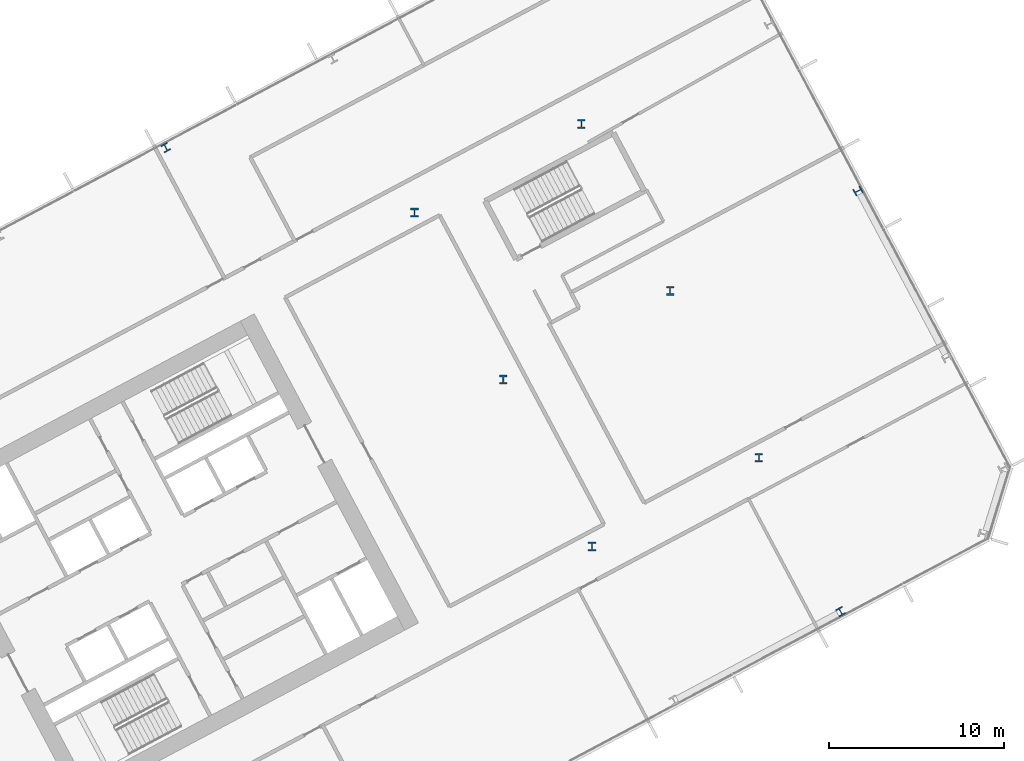
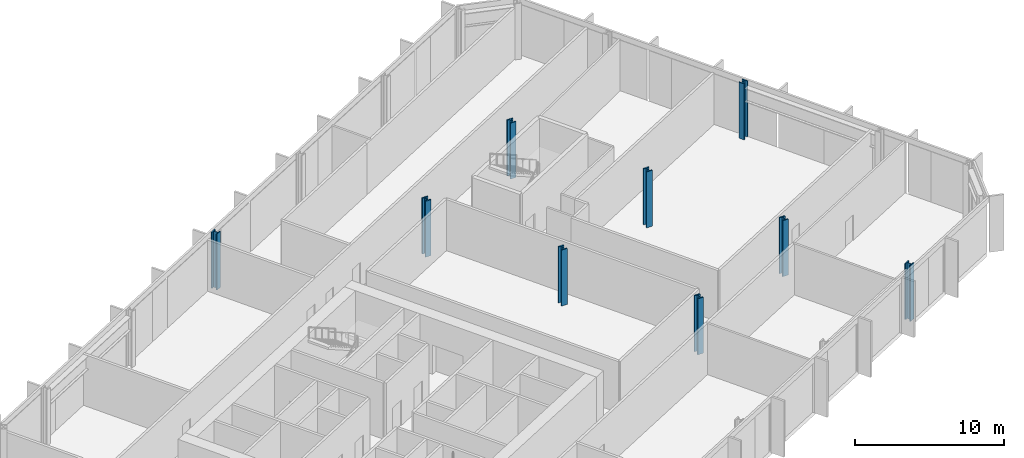
# One storey, part 4 of 31: 9 columns.
"""IFC4 building model written with IfcOpenShell, lengths in metres."""

import ifcopenshell
import ifcopenshell.guid

model = None  # the IFC model being written
_history = None  # IfcOwnerHistory: only IFC2X3 demands one
_inside = {}  # id of a spatial element -> (the spatial element, [elements in it])
_under = {}  # id of a project, library or spatial element -> (it, [spatial elements below it])
_declared = {}  # id of a project -> (the project, [libraries it declares])
_typed = {}  # id of a type object -> (the type object, [elements of that type])
_made_of = {}  # id of a material, layer set ... -> (it, [elements and type objects made of it])


def new_model(schema):
    """Start an empty IFC model of exactly this schema.

    Asked for "IFC4X3", IfcOpenShell would pick the latest addendum, in which some entities
    have other attributes; the version numbers below select the first issue.
    IFC2X3 requires an IfcOwnerHistory on every rooted entity: one is made here for all.
    """
    global model, _history
    if schema == "IFC4X3":
        model = ifcopenshell.file(schema_version=(4, 3, 0, 0))
    else:
        model = ifcopenshell.file(schema=schema)
    _inside.clear()
    _under.clear()
    _declared.clear()
    _typed.clear()
    _made_of.clear()
    _history = None
    if model.schema == "IFC2X3":
        org = make("IfcOrganization", Name="unknown")
        user = make(
            "IfcPersonAndOrganization",
            ThePerson=make("IfcPerson", FamilyName="unknown"),
            TheOrganization=org,
        )
        app = make(
            "IfcApplication",
            ApplicationDeveloper=org,
            Version="unknown",
            ApplicationFullName="unknown",
            ApplicationIdentifier="unknown",
        )
        _history = make(
            "IfcOwnerHistory",
            OwningUser=user,
            OwningApplication=app,
            ChangeAction="ADDED",
            CreationDate=0,
        )
    return model


def make(cls, **values):
    """One entity of the class cls with the attributes given. An attribute that is None is left unset."""
    return model.create_entity(
        cls, **{name: value for name, value in values.items() if value is not None}
    )


def rooted(cls, **values):
    """An entity with a GlobalId (a new one), such as an element, a storey or a relation."""
    return make(cls, GlobalId=ifcopenshell.guid.new(), OwnerHistory=_history, **values)


def si_unit(unit_type, name, prefix=None):
    """IfcSIUnit, for example si_unit("LENGTHUNIT", "METRE", prefix="MILLI")."""
    return make("IfcSIUnit", UnitType=unit_type, Prefix=prefix, Name=name)


def assignment(units):
    """IfcUnitAssignment: the units of a project."""
    return None if units is None else make("IfcUnitAssignment", Units=units)


def point(xyz):
    """IfcCartesianPoint."""
    return None if xyz is None else make("IfcCartesianPoint", Coordinates=xyz)


def direction(xyz):
    """IfcDirection."""
    return None if xyz is None else make("IfcDirection", DirectionRatios=xyz)


def frame(location, z_axis=None, x_axis=None):
    """IfcAxis2Placement3D, a coordinate frame: its origin and axes. An axis left out is left unset."""
    return make(
        "IfcAxis2Placement3D",
        Location=point(location),
        Axis=direction(z_axis),
        RefDirection=direction(x_axis),
    )


def frame_2d(location, x_axis=None):
    """IfcAxis2Placement2D, a coordinate frame in the plane: its origin and x axis."""
    return make(
        "IfcAxis2Placement2D", Location=point(location), RefDirection=direction(x_axis)
    )


def origin():
    """The frame at (0, 0, 0) with its axes left unset."""
    return frame((0.0, 0.0, 0.0))


def origin_2d():
    """The frame at (0, 0) in the plane with its x axis left unset."""
    return frame_2d((0.0, 0.0))


def place(relative_to, where):
    """IfcLocalPlacement: puts the frame where relative to a parent placement (None: the world)."""
    return make(
        "IfcLocalPlacement", PlacementRelTo=relative_to, RelativePlacement=where
    )


def context(
    kind, dimensions, precision=None, world=None, true_north=None, identifier=None
):
    """IfcGeometricRepresentationContext, for example the 3D "Model" context."""
    return make(
        "IfcGeometricRepresentationContext",
        ContextIdentifier=identifier,
        ContextType=kind,
        CoordinateSpaceDimension=dimensions,
        Precision=precision,
        WorldCoordinateSystem=world,
        TrueNorth=true_north,
    )


def subcontext(parent, identifier, kind, view, scale=None):
    """IfcGeometricRepresentationSubContext, for example "Body" below "Model"."""
    return make(
        "IfcGeometricRepresentationSubContext",
        ContextIdentifier=identifier,
        ContextType=kind,
        ParentContext=parent,
        TargetScale=scale,
        TargetView=view,
    )


def project(units=None, contexts=None):
    """IfcProject with its units and contexts."""
    return rooted(
        "IfcProject",
        Name="project",
        RepresentationContexts=contexts,
        UnitsInContext=assignment(units),
    )


def spatial(cls, under=None, at=None, **own):
    """A site, building, storey or space (cls), placed at a placement, below another one or the project."""
    s = rooted(cls, ObjectPlacement=at, **own)
    if under is not None:
        _under.setdefault(under.id(), (under, []))[1].append(s)
    return s


def profile(cls, at=None, kind="AREA", **sizes):
    """A parametric profile (cls). Its sizes go by their IFC names, for example OverallWidth=200.0."""
    return make(cls, ProfileType=kind, Position=at, **sizes)


def i_section(**sizes):
    """IfcIShapeProfileDef."""
    return profile("IfcIShapeProfileDef", **sizes)


def extrude(swept, where, along, depth):
    """IfcExtrudedAreaSolid: the profile swept, set in the frame where, extruded along a direction by depth."""
    return make(
        "IfcExtrudedAreaSolid",
        SweptArea=swept,
        Position=where,
        ExtrudedDirection=direction(along),
        Depth=depth,
    )


def shape(context_of_items, identifier, shape_type, items):
    """IfcShapeRepresentation: the items that make up one representation, for example the "Body"."""
    return make(
        "IfcShapeRepresentation",
        ContextOfItems=context_of_items,
        RepresentationIdentifier=identifier,
        RepresentationType=shape_type,
        Items=items,
    )


def material(Name=None, Category=None):
    """IfcMaterial."""
    return make("IfcMaterial", Name=Name, Category=Category)


def material_profile(
    of_material, cross_section, Name=None, Category=None, Priority=None
):
    """IfcMaterialProfile: a cross section and its material."""
    return make(
        "IfcMaterialProfile",
        Name=Name,
        Material=of_material,
        Profile=cross_section,
        Priority=Priority,
        Category=Category,
    )


def profile_set(profiles, Name=None, composite=None):
    """IfcMaterialProfileSet."""
    return make(
        "IfcMaterialProfileSet",
        Name=Name,
        MaterialProfiles=profiles,
        CompositeProfile=composite,
    )


def made_of(thing, what):
    """Note that an element or type object is made of a material, layer set ...; save() writes the relation."""
    if what is not None:
        _made_of.setdefault(what.id(), (what, []))[1].append(thing)
    return thing


def type_object(cls, material=None, **own):
    """A type object (cls), such as IfcWallType, which elements share."""
    return made_of(rooted(cls, **own), material)


def element(
    cls,
    number,
    at=None,
    inside=None,
    cuts=None,
    type_object=None,
    material=None,
    context=None,
    identifier="Body",
    shape_type=None,
    held_by="IfcProductDefinitionShape",
    body=None,
    shapes=None,
    **own,
):
    """One element of the class cls, such as IfcWall. Its Tag is "e" and its number.

    at: its placement. inside: the storey or other place that contains it. cuts: it is an
    opening in that element (IfcRelVoidsElement). A single representation is given by context,
    identifier, shape_type and body (its items); several are given by shapes. held_by: the class
    of the entity that holds the representations. save() writes the other relations.
    """
    e = rooted(cls, Tag="e%d" % number, ObjectPlacement=at, **own)
    if body is not None:
        shapes = [shape(context, identifier, shape_type, body)]
    if shapes is not None:
        e.Representation = make(held_by, Representations=shapes)
    if inside is not None:
        _inside.setdefault(inside.id(), (inside, []))[1].append(e)
    if cuts is not None:
        rooted(
            "IfcRelVoidsElement", RelatingBuildingElement=cuts, RelatedOpeningElement=e
        )
    if type_object is not None:
        _typed.setdefault(type_object.id(), (type_object, []))[1].append(e)
    return made_of(e, material)


def aggregate(whole, parts):
    """IfcRelAggregates: a whole, such as a stair, and the parts it consists of."""
    return rooted("IfcRelAggregates", RelatingObject=whole, RelatedObjects=parts)


def save(model, path):
    """Write the relations noted so far, then the file.

    IfcRelAggregates (storeys below a building ...), IfcRelContainedInSpatialStructure (elements
    in a storey), IfcRelDefinesByType, IfcRelAssociatesMaterial and IfcRelDeclares: one each for
    every whole, place, type object, material and project.
    """
    for whole, parts in _under.values():
        aggregate(whole, parts)
    for where, things in _inside.values():
        rooted(
            "IfcRelContainedInSpatialStructure",
            RelatedElements=things,
            RelatingStructure=where,
        )
    for kind, things in _typed.values():
        rooted("IfcRelDefinesByType", RelatedObjects=things, RelatingType=kind)
    for what, things in _made_of.values():
        rooted("IfcRelAssociatesMaterial", RelatedObjects=things, RelatingMaterial=what)
    for by, libraries in _declared.values():
        rooted("IfcRelDeclares", RelatingContext=by, RelatedDefinitions=libraries)
    model.write(path)


model = new_model("IFC4")

# Units and contexts
model_context = context("Model", 3, precision=1e-05, world=origin(), true_north=direction((0.0, 1.0)))
body_context = subcontext(model_context, "Body", "Model", "MODEL_VIEW")
ifc_project = project(units=[si_unit("LENGTHUNIT", "METRE"), si_unit("AREAUNIT", "SQUARE_METRE"), si_unit("VOLUMEUNIT", "CUBIC_METRE"), si_unit("PLANEANGLEUNIT", "RADIAN"), si_unit("MASSUNIT", "GRAM", prefix="KILO")], contexts=[model_context])

# Site, building, storey
site_placement = place(None, origin())
site = spatial("IfcSite", under=ifc_project, at=site_placement, CompositionType="ELEMENT")
building_placement = place(site_placement, origin())
building = spatial("IfcBuilding", under=site, at=building_placement, Name="Cormorant Relay Tower", CompositionType="ELEMENT")
storey_placement = place(building_placement, frame((0.0, 0.0, 98.39990234375)))
storey = spatial("IfcBuildingStorey", under=building, at=storey_placement, Name="L19", CompositionType="ELEMENT", Elevation=98.39990234375)

# Columns
ifc_material_1 = material(Name="Steel ASTM A992 (Fy 345 MPa)", Category="steel")
ifc_material_profile_1 = material_profile(ifc_material_1, i_section(OverallWidth=0.42431640625, OverallDepth=0.47509765625, WebThickness=0.0478515625, FlangeThickness=0.0771484375, FilletRadius=0.014892578125, at=origin_2d()), Name="W360x634")
ifc_profile_set_1 = profile_set([ifc_material_profile_1], Name="Steel ASTM A992 (Fy 345 MPa)")
column_type_1 = type_object("IfcColumnType", Name="Column W360x634", PredefinedType="COLUMN", material=ifc_profile_set_1)
for number, where, z_axis, x_axis, name in (
    (1, (62.3701171875, 9.65087890625, 0.0), (0.0, 0.0, 1.0), (0.882947592859, 0.469471562786, 0.0), "Column L19-020"),
    (2, (63.360107421875, 33.68896484375, 0.0), (0.0, 0.0, 1.0), (-0.469471562786, 0.882947592859, 0.0), "Column L19-042"),
    (3, (23.805908203125, 36.169921875, 0.0), (0.0, 0.0, 1.0), (-0.882947592859, -0.469471562786, 0.0), "Column L19-044"),
):
    element("IfcColumn", number, at=place(storey_placement, frame(where, z_axis=z_axis, x_axis=x_axis)), inside=storey, type_object=column_type_1, Name=name, PredefinedType="COLUMN", context=body_context, shape_type="SweptSolid", body=[
        extrude(i_section(OverallWidth=0.42431640625, OverallDepth=0.47509765625, WebThickness=0.0478515625, FlangeThickness=0.0771484375, FilletRadius=0.014892578125, at=origin_2d()), origin(), (0.0, 0.0, 1.0), 4.60009765625),
    ])
ifc_material_2 = material(Name="Steel ASTM A992 (Fy 345 MPa)", Category="steel")
ifc_material_profile_2 = material_profile(ifc_material_2, i_section(OverallWidth=0.43701171875, OverallDepth=0.51318359375, WebThickness=0.060546875, FlangeThickness=0.096923828125, FilletRadius=0.015380859375, at=origin_2d()), Name="W360x818")
ifc_profile_set_2 = profile_set([ifc_material_profile_2], Name="Steel ASTM A992 (Fy 345 MPa)")
column_type_2 = type_object("IfcColumnType", Name="Column W360x818", PredefinedType="COLUMN", material=ifc_profile_set_2)
for number, where, z_axis, x_axis, name in (
    (4, (48.157958984375, 13.3740234375, 0.0), (0.0, 0.0, 1.0), (1.0, 0.0, 0.0), "Column L19-025"),
    (5, (57.694091796875, 18.445068359375, 0.0), (0.0, 0.0, 1.0), (1.0, 0.0, 0.0), "Column L19-029"),
    (6, (43.087890625, 22.909912109375, 0.0), (0.0, 0.0, 1.0), (1.0, 0.0, 0.0), "Column L19-031"),
    (7, (52.6240234375, 27.98095703125, 0.0), (0.0, 0.0, 1.0), (1.0, 0.0, 0.0), "Column L19-037"),
    (8, (38.01806640625, 32.446044921875, 0.0), (0.0, 0.0, 1.0), (1.0, 0.0, 0.0), "Column L19-040"),
    (9, (47.552978515625, 37.51611328125, 0.0), (0.0, 0.0, 1.0), (1.0, 0.0, 0.0), "Column L19-045"),
):
    element("IfcColumn", number, at=place(storey_placement, frame(where, z_axis=z_axis, x_axis=x_axis)), inside=storey, type_object=column_type_2, Name=name, PredefinedType="COLUMN", context=body_context, shape_type="SweptSolid", body=[
        extrude(i_section(OverallWidth=0.43701171875, OverallDepth=0.51318359375, WebThickness=0.060546875, FlangeThickness=0.096923828125, FilletRadius=0.015380859375, at=origin_2d()), origin(), (0.0, 0.0, 1.0), 4.60009765625),
    ])

save(model, "model.ifc")
